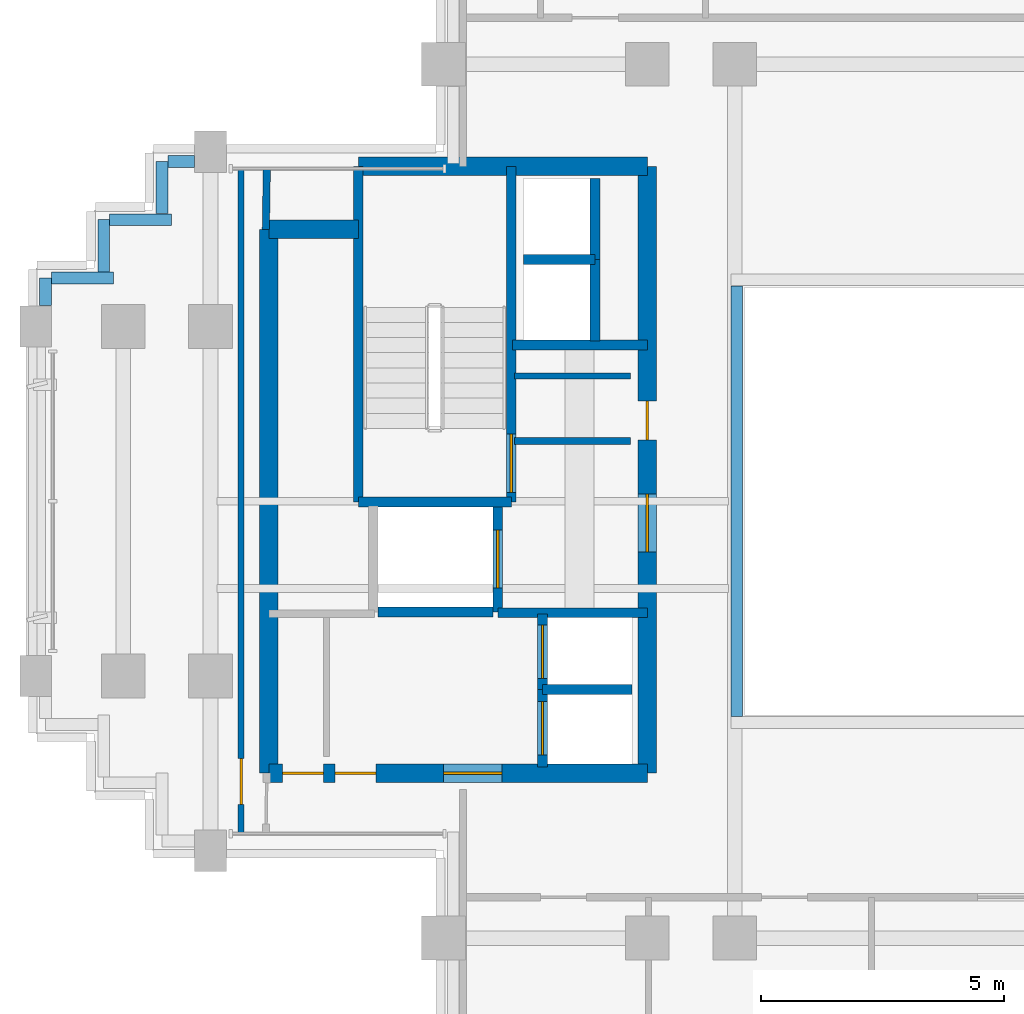
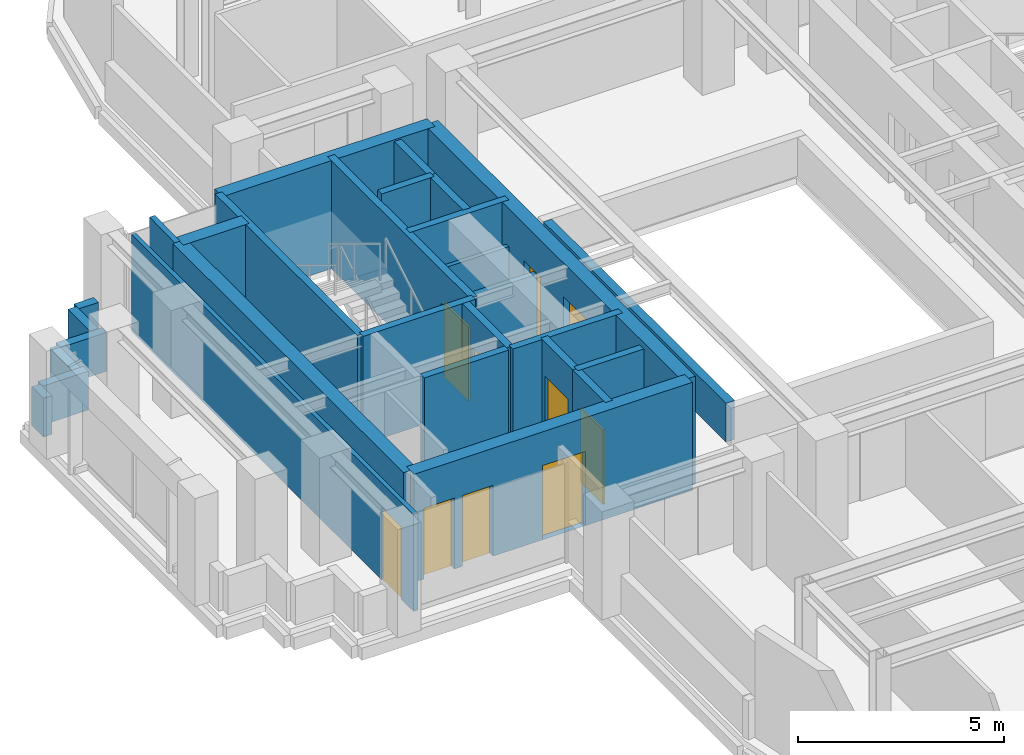
# One storey, part 6 of 11: 29 walls, 10 doors, 10 openings.
"""IFC4 building model written with IfcOpenShell, lengths in metres."""

import ifcopenshell
import ifcopenshell.guid

model = None  # the IFC model being written
_history = None  # IfcOwnerHistory: only IFC2X3 demands one
_inside = {}  # id of a spatial element -> (the spatial element, [elements in it])
_under = {}  # id of a project, library or spatial element -> (it, [spatial elements below it])
_declared = {}  # id of a project -> (the project, [libraries it declares])
_typed = {}  # id of a type object -> (the type object, [elements of that type])
_made_of = {}  # id of a material, layer set ... -> (it, [elements and type objects made of it])


def new_model(schema):
    """Start an empty IFC model of exactly this schema.

    Asked for "IFC4X3", IfcOpenShell would pick the latest addendum, in which some entities
    have other attributes; the version numbers below select the first issue.
    IFC2X3 requires an IfcOwnerHistory on every rooted entity: one is made here for all.
    """
    global model, _history
    if schema == "IFC4X3":
        model = ifcopenshell.file(schema_version=(4, 3, 0, 0))
    else:
        model = ifcopenshell.file(schema=schema)
    _inside.clear()
    _under.clear()
    _declared.clear()
    _typed.clear()
    _made_of.clear()
    _history = None
    if model.schema == "IFC2X3":
        org = make("IfcOrganization", Name="unknown")
        user = make(
            "IfcPersonAndOrganization",
            ThePerson=make("IfcPerson", FamilyName="unknown"),
            TheOrganization=org,
        )
        app = make(
            "IfcApplication",
            ApplicationDeveloper=org,
            Version="unknown",
            ApplicationFullName="unknown",
            ApplicationIdentifier="unknown",
        )
        _history = make(
            "IfcOwnerHistory",
            OwningUser=user,
            OwningApplication=app,
            ChangeAction="ADDED",
            CreationDate=0,
        )
    return model


def make(cls, **values):
    """One entity of the class cls with the attributes given. An attribute that is None is left unset."""
    return model.create_entity(
        cls, **{name: value for name, value in values.items() if value is not None}
    )


def rooted(cls, **values):
    """An entity with a GlobalId (a new one), such as an element, a storey or a relation."""
    return make(cls, GlobalId=ifcopenshell.guid.new(), OwnerHistory=_history, **values)


def si_unit(unit_type, name, prefix=None):
    """IfcSIUnit, for example si_unit("LENGTHUNIT", "METRE", prefix="MILLI")."""
    return make("IfcSIUnit", UnitType=unit_type, Prefix=prefix, Name=name)


def assignment(units):
    """IfcUnitAssignment: the units of a project."""
    return None if units is None else make("IfcUnitAssignment", Units=units)


def point(xyz):
    """IfcCartesianPoint."""
    return None if xyz is None else make("IfcCartesianPoint", Coordinates=xyz)


def direction(xyz):
    """IfcDirection."""
    return None if xyz is None else make("IfcDirection", DirectionRatios=xyz)


def frame(location, z_axis=None, x_axis=None):
    """IfcAxis2Placement3D, a coordinate frame: its origin and axes. An axis left out is left unset."""
    return make(
        "IfcAxis2Placement3D",
        Location=point(location),
        Axis=direction(z_axis),
        RefDirection=direction(x_axis),
    )


def frame_2d(location, x_axis=None):
    """IfcAxis2Placement2D, a coordinate frame in the plane: its origin and x axis."""
    return make(
        "IfcAxis2Placement2D", Location=point(location), RefDirection=direction(x_axis)
    )


def origin():
    """The frame at (0, 0, 0) with its axes left unset."""
    return frame((0.0, 0.0, 0.0))


def place(relative_to, where):
    """IfcLocalPlacement: puts the frame where relative to a parent placement (None: the world)."""
    return make(
        "IfcLocalPlacement", PlacementRelTo=relative_to, RelativePlacement=where
    )


def context(
    kind, dimensions, precision=None, world=None, true_north=None, identifier=None
):
    """IfcGeometricRepresentationContext, for example the 3D "Model" context."""
    return make(
        "IfcGeometricRepresentationContext",
        ContextIdentifier=identifier,
        ContextType=kind,
        CoordinateSpaceDimension=dimensions,
        Precision=precision,
        WorldCoordinateSystem=world,
        TrueNorth=true_north,
    )


def subcontext(parent, identifier, kind, view, scale=None):
    """IfcGeometricRepresentationSubContext, for example "Body" below "Model"."""
    return make(
        "IfcGeometricRepresentationSubContext",
        ContextIdentifier=identifier,
        ContextType=kind,
        ParentContext=parent,
        TargetScale=scale,
        TargetView=view,
    )


def project(units=None, contexts=None):
    """IfcProject with its units and contexts."""
    return rooted(
        "IfcProject",
        Name="project",
        RepresentationContexts=contexts,
        UnitsInContext=assignment(units),
    )


def spatial(cls, under=None, at=None, **own):
    """A site, building, storey or space (cls), placed at a placement, below another one or the project."""
    s = rooted(cls, ObjectPlacement=at, **own)
    if under is not None:
        _under.setdefault(under.id(), (under, []))[1].append(s)
    return s


def profile(cls, at=None, kind="AREA", **sizes):
    """A parametric profile (cls). Its sizes go by their IFC names, for example OverallWidth=200.0."""
    return make(cls, ProfileType=kind, Position=at, **sizes)


def rectangle(**sizes):
    """IfcRectangleProfileDef."""
    return profile("IfcRectangleProfileDef", **sizes)


def extrude(swept, where, along, depth):
    """IfcExtrudedAreaSolid: the profile swept, set in the frame where, extruded along a direction by depth."""
    return make(
        "IfcExtrudedAreaSolid",
        SweptArea=swept,
        Position=where,
        ExtrudedDirection=direction(along),
        Depth=depth,
    )


def shape(context_of_items, identifier, shape_type, items):
    """IfcShapeRepresentation: the items that make up one representation, for example the "Body"."""
    return make(
        "IfcShapeRepresentation",
        ContextOfItems=context_of_items,
        RepresentationIdentifier=identifier,
        RepresentationType=shape_type,
        Items=items,
    )


def source(mapping_origin, context_of_items, identifier, shape_type, items):
    """IfcRepresentationMap: a shape defined once, which mapped items show again and again."""
    return make(
        "IfcRepresentationMap",
        MappingOrigin=mapping_origin,
        MappedRepresentation=shape(context_of_items, identifier, shape_type, items),
    )


def transform(
    local_origin,
    x_axis=None,
    y_axis=None,
    z_axis=None,
    scale=None,
    scale2=None,
    scale3=None,
    uniform=True,
):
    """IfcCartesianTransformationOperator3D, or its non-uniform kind. x_axis, y_axis, z_axis: its Axis1, 2, 3."""
    if uniform:
        return make(
            "IfcCartesianTransformationOperator3D",
            Axis1=direction(x_axis),
            Axis2=direction(y_axis),
            LocalOrigin=point(local_origin),
            Scale=scale,
            Axis3=direction(z_axis),
        )
    return make(
        "IfcCartesianTransformationOperator3DnonUniform",
        Axis1=direction(x_axis),
        Axis2=direction(y_axis),
        LocalOrigin=point(local_origin),
        Scale=scale,
        Axis3=direction(z_axis),
        Scale2=scale2,
        Scale3=scale3,
    )


def mapped(mapping_source, mapping_target):
    """IfcMappedItem: shows the shape of a source again, moved by a transform."""
    return make(
        "IfcMappedItem", MappingSource=mapping_source, MappingTarget=mapping_target
    )


def material(Name=None, Category=None):
    """IfcMaterial."""
    return make("IfcMaterial", Name=Name, Category=Category)


def layer(
    of_material, thickness, ventilated=None, Name=None, Category=None, Priority=None
):
    """IfcMaterialLayer: one layer of a wall or slab, of a material (None: an air gap)."""
    return make(
        "IfcMaterialLayer",
        Material=of_material,
        LayerThickness=thickness,
        IsVentilated=ventilated,
        Name=Name,
        Category=Category,
        Priority=Priority,
    )


def layer_set(layers, Name=None):
    """IfcMaterialLayerSet."""
    return make("IfcMaterialLayerSet", MaterialLayers=layers, LayerSetName=Name)


def made_of(thing, what):
    """Note that an element or type object is made of a material, layer set ...; save() writes the relation."""
    if what is not None:
        _made_of.setdefault(what.id(), (what, []))[1].append(thing)
    return thing


def type_object(cls, material=None, **own):
    """A type object (cls), such as IfcWallType, which elements share."""
    return made_of(rooted(cls, **own), material)


def element(
    cls,
    number,
    at=None,
    inside=None,
    cuts=None,
    type_object=None,
    material=None,
    context=None,
    identifier="Body",
    shape_type=None,
    held_by="IfcProductDefinitionShape",
    body=None,
    shapes=None,
    **own,
):
    """One element of the class cls, such as IfcWall. Its Tag is "e" and its number.

    at: its placement. inside: the storey or other place that contains it. cuts: it is an
    opening in that element (IfcRelVoidsElement). A single representation is given by context,
    identifier, shape_type and body (its items); several are given by shapes. held_by: the class
    of the entity that holds the representations. save() writes the other relations.
    """
    e = rooted(cls, Tag="e%d" % number, ObjectPlacement=at, **own)
    if body is not None:
        shapes = [shape(context, identifier, shape_type, body)]
    if shapes is not None:
        e.Representation = make(held_by, Representations=shapes)
    if inside is not None:
        _inside.setdefault(inside.id(), (inside, []))[1].append(e)
    if cuts is not None:
        rooted(
            "IfcRelVoidsElement", RelatingBuildingElement=cuts, RelatedOpeningElement=e
        )
    if type_object is not None:
        _typed.setdefault(type_object.id(), (type_object, []))[1].append(e)
    return made_of(e, material)


def fill(opening, filler):
    """IfcRelFillsElement: the door or window that sits in an opening."""
    return rooted(
        "IfcRelFillsElement",
        RelatingOpeningElement=opening,
        RelatedBuildingElement=filler,
    )


def aggregate(whole, parts):
    """IfcRelAggregates: a whole, such as a stair, and the parts it consists of."""
    return rooted("IfcRelAggregates", RelatingObject=whole, RelatedObjects=parts)


def save(model, path):
    """Write the relations noted so far, then the file.

    IfcRelAggregates (storeys below a building ...), IfcRelContainedInSpatialStructure (elements
    in a storey), IfcRelDefinesByType, IfcRelAssociatesMaterial and IfcRelDeclares: one each for
    every whole, place, type object, material and project.
    """
    for whole, parts in _under.values():
        aggregate(whole, parts)
    for where, things in _inside.values():
        rooted(
            "IfcRelContainedInSpatialStructure",
            RelatedElements=things,
            RelatingStructure=where,
        )
    for kind, things in _typed.values():
        rooted("IfcRelDefinesByType", RelatedObjects=things, RelatingType=kind)
    for what, things in _made_of.values():
        rooted("IfcRelAssociatesMaterial", RelatedObjects=things, RelatingMaterial=what)
    for by, libraries in _declared.values():
        rooted("IfcRelDeclares", RelatingContext=by, RelatedDefinitions=libraries)
    model.write(path)


model = new_model("IFC4")

# Units and contexts
model_context = context("Model", 3, precision=1e-05, world=origin(), true_north=direction((0.0, 1.0)))
body_context = subcontext(model_context, "Body", "Model", "MODEL_VIEW")
ifc_project = project(units=[si_unit("LENGTHUNIT", "METRE"), si_unit("AREAUNIT", "SQUARE_METRE"), si_unit("VOLUMEUNIT", "CUBIC_METRE"), si_unit("PLANEANGLEUNIT", "RADIAN"), si_unit("MASSUNIT", "GRAM", prefix="KILO")], contexts=[model_context])

# Site, building, storey
site_placement = place(None, origin())
site = spatial("IfcSite", under=ifc_project, at=site_placement, CompositionType="ELEMENT")
building_placement = place(site_placement, origin())
building = spatial("IfcBuilding", under=site, at=building_placement, Name="Keilestroom Media Tower", CompositionType="ELEMENT")
storey_placement = place(building_placement, frame((0.0, 0.0, 163.800048828125)))
storey = spatial("IfcBuildingStorey", under=building, at=storey_placement, Name="L44", CompositionType="ELEMENT", Elevation=163.800048828125)

# Wall
ifc_material_1 = material(Name="Gypsum Plasterboard & Steel Stud", Category="steel")
ifc_layer_1 = layer(ifc_material_1, 0.1201171875)
ifc_layer_set_1 = layer_set([ifc_layer_1], Name="Gypsum Plasterboard & Steel Stud")
wall_type_1 = type_object("IfcWallType", Name="Interior-Partition-Wall-120", PredefinedType="PARTITIONING", material=ifc_layer_set_1)
wall_1_placement = place(storey_placement, frame((-8.139892578125, 2.580078125, 0.0), z_axis=(0.0, 0.0, 1.0), x_axis=(1.0, 0.0, 0.0)))
element("IfcWall", 1, at=wall_1_placement, inside=storey, type_object=wall_type_1, Name="L44 Interior Wall WP-L44-CNW-N", PredefinedType="PARTITIONING", context=body_context, shape_type="SweptSolid", body=[
    extrude(rectangle(XDim=2.389892578125, YDim=0.1201171875, at=frame_2d((1.19482421875, 0.0))), origin(), (0.0, 0.0, 1.0), 2.300048828125),
])

# Wall, opening, door
wall_2_placement = place(storey_placement, frame((-13.77001953125, -6.85009765625, 0.0), z_axis=(0.0, 0.0, 1.0), x_axis=(0.0, 1.0, 0.0)))
wall_2 = element("IfcWall", 2, at=wall_2_placement, inside=storey, type_object=wall_type_1, Name="L44 Interior Wall WP-L44-WA-CE", PredefinedType="PARTITIONING", context=body_context, shape_type="SweptSolid", body=[
    extrude(rectangle(XDim=13.7001953125, YDim=0.1201171875, at=frame_2d((6.85009765625, 0.0))), origin(), (0.0, 0.0, 1.0), 2.869873046875),
])
opening_1_placement = place(wall_2_placement, frame((0.60009765625, 0.0, 0.0)))
opening_1 = element("IfcOpeningElement", 3, at=opening_1_placement, cuts=wall_2, Name="Opening DI-03", PredefinedType="OPENING", context=body_context, shape_type="SweptSolid", body=[
    extrude(rectangle(XDim=0.949951171875, YDim=2.14990234375, at=frame_2d((0.47509765625, 1.074951171875))), frame((0.0, 0.070068359375, 0.0), z_axis=(0.0, -1.0, 0.0), x_axis=(1.0, 0.0, 0.0)), (0.0, 0.0, 1.0), 0.14013671875),
])
ifc_material_2 = material(Name="Lacquered European Oak Leaf", Category="wood")
door_type_1 = type_object("IfcDoorType", Name="Interior-Room-And-Suite-Door-DI-03", OperationType="NOTDEFINED", PredefinedType="DOOR", material=ifc_material_2)
shared_shape_1 = source(origin(), body_context, "Body", "SweptSolid", [
    extrude(rectangle(XDim=0.949951171875, YDim=2.14990234375, at=frame_2d((0.47509765625, 1.074951171875))), frame((0.0, 0.02490234375, 0.0), z_axis=(0.0, -1.0, 0.0), x_axis=(1.0, 0.0, 0.0)), (0.0, 0.0, 1.0), 0.050048828125),
])
door_1_placement = place(opening_1_placement, origin())
door_1 = element("IfcDoor", 4, at=door_1_placement, inside=storey, type_object=door_type_1, Name="L44 Interior Door DI-L44-DWA-END", OperationType="SINGLE_SWING_RIGHT", OverallHeight=2.14990234375, OverallWidth=0.949951171875, PredefinedType="DOOR", context=body_context, shape_type="MappedRepresentation", body=[
    mapped(shared_shape_1, transform((0.0, 0.0, 0.0), x_axis=(1.0, 0.0, 0.0), y_axis=(0.0, 1.0, 0.0), z_axis=(0.0, 0.0, 1.0), scale=1.0)),
])
fill(opening_1, door_1)

# Walls
ifc_layer_2 = layer(ifc_material_1, 0.14990234375)
ifc_layer_set_2 = layer_set([ifc_layer_2], Name="Gypsum Plasterboard & Steel Stud")
wall_type_2 = type_object("IfcWallType", Name="Interior-Partition-Wall-150", PredefinedType="PARTITIONING", material=ifc_layer_set_2)
wall_3_placement = place(storey_placement, frame((-8.139892578125, 1.239990234375, 0.0), z_axis=(0.0, 0.0, 1.0), x_axis=(1.0, 0.0, 0.0)))
element("IfcWall", 5, at=wall_3_placement, inside=storey, type_object=wall_type_2, Name="L44 Interior Wall WP-L44-FFW-TOP", PredefinedType="PARTITIONING", context=body_context, shape_type="SweptSolid", body=[
    extrude(rectangle(XDim=2.389892578125, YDim=0.14990234375, at=frame_2d((1.19482421875, 0.0))), origin(), (0.0, 0.0, 1.0), 2.300048828125),
])
wall_4_placement = place(storey_placement, frame((-13.260009765625, 5.60009765625, 0.0), z_axis=(0.0, 0.0, 1.0), x_axis=(0.016013571389, 0.999871774545, 0.0)))
element("IfcWall", 6, at=wall_4_placement, inside=storey, type_object=wall_type_2, Name="L44 Interior Wall WP-L44-WA-ENTN", PredefinedType="PARTITIONING", context=body_context, shape_type="SweptSolid", body=[
    extrude(rectangle(XDim=1.250244140625, YDim=0.14990234375, at=frame_2d((0.625, 0.0))), origin(), (0.0, 0.0, 1.0), 3.199951171875),
])
ifc_material_3 = material(Name="Concrete C55/67", Category="concrete")
ifc_layer_3 = layer(ifc_material_3, 0.3798828125)
ifc_layer_set_3 = layer_set([ifc_layer_3], Name="Concrete C55/67")
wall_type_3 = type_object("IfcWallType", Name="Reinforced-Concrete-Core-Shear-Wall-380", PredefinedType="SHEAR", material=ifc_layer_set_3)
wall_5_placement = place(storey_placement, frame((-13.199951171875, -5.60009765625, 0.0), z_axis=(0.0, 0.0, 1.0), x_axis=(0.0, 1.0, 0.0)))
element("IfcWall", 7, at=wall_5_placement, inside=storey, type_object=wall_type_3, Name="L44 Core Shear Wall WL-L44-CORE-W-OUT", PredefinedType="SHEAR", context=body_context, shape_type="SweptSolid", body=[
    extrude(rectangle(XDim=11.2001953125, YDim=0.3798828125, at=frame_2d((5.60009765625, 0.0))), origin(), (0.0, 0.0, 1.0), 3.199951171875),
])

# Wall, openings, doors
wall_6_placement = place(storey_placement, frame((-5.39990234375, -5.60009765625, 0.0), z_axis=(0.0, 0.0, 1.0), x_axis=(0.0, 1.0, 0.0)))
wall_6 = element("IfcWall", 8, at=wall_6_placement, inside=storey, type_object=wall_type_3, Name="L44 Core Shear Wall WL-L44-CORE-W-IN", PredefinedType="SHEAR", context=body_context, shape_type="SweptSolid", body=[
    extrude(rectangle(XDim=12.5, YDim=0.3798828125, at=frame_2d((6.25, 0.0))), origin(), (0.0, 0.0, 1.0), 3.199951171875),
])
opening_2_placement = place(wall_6_placement, frame((4.550048828125, 0.0, 0.0)))
opening_2 = element("IfcOpeningElement", 9, at=opening_2_placement, cuts=wall_6, Name="Opening DI-02", PredefinedType="OPENING", context=body_context, shape_type="SweptSolid", body=[
    extrude(rectangle(XDim=1.199951171875, YDim=2.199951171875, at=frame_2d((0.60009765625, 1.10009765625))), frame((0.0, 0.199951171875, 0.0), z_axis=(0.0, -1.0, 0.0), x_axis=(1.0, 0.0, 0.0)), (0.0, 0.0, 1.0), 0.39990234375),
])
opening_3_placement = place(wall_6_placement, frame((6.860107421875, 0.0, 0.0)))
opening_3 = element("IfcOpeningElement", 10, at=opening_3_placement, cuts=wall_6, Name="Opening DI-06", PredefinedType="OPENING", context=body_context, shape_type="SweptSolid", body=[
    extrude(rectangle(XDim=0.800048828125, YDim=2.10009765625, at=frame_2d((0.39990234375, 1.050048828125))), frame((0.0, 0.199951171875, 0.0), z_axis=(0.0, -1.0, 0.0), x_axis=(1.0, 0.0, 0.0)), (0.0, 0.0, 1.0), 0.39990234375),
])
ifc_material_4 = material(Name="Powder-Coated Steel Fire Leaf", Category="steel")
door_type_2 = type_object("IfcDoorType", Name="Interior-Compartment-Fire-Door-DI-02", OperationType="NOTDEFINED", PredefinedType="DOOR", material=ifc_material_4)
shared_shape_2 = source(origin(), body_context, "Body", "SweptSolid", [
    extrude(rectangle(XDim=1.199951171875, YDim=2.199951171875, at=frame_2d((0.60009765625, 1.10009765625))), frame((0.0, 0.02490234375, 0.0), z_axis=(0.0, -1.0, 0.0), x_axis=(1.0, 0.0, 0.0)), (0.0, 0.0, 1.0), 0.050048828125),
])
door_2_placement = place(opening_2_placement, origin())
door_2 = element("IfcDoor", 11, at=door_2_placement, inside=storey, type_object=door_type_2, Name="L44 W Firefighting Lobby Door", OperationType="SINGLE_SWING_RIGHT", OverallHeight=2.199951171875, OverallWidth=1.199951171875, PredefinedType="DOOR", context=body_context, shape_type="MappedRepresentation", body=[
    mapped(shared_shape_2, transform((0.0, 0.0, 0.0), x_axis=(1.0, 0.0, 0.0), y_axis=(0.0, 1.0, 0.0), z_axis=(0.0, 0.0, 1.0), scale=1.0)),
])
fill(opening_2, door_2)
ifc_material_5 = material(Name="Powder-Coated Steel Service Leaf", Category="steel")
door_type_3 = type_object("IfcDoorType", Name="Interior-Riser-Access-Door-DI-06", OperationType="NOTDEFINED", PredefinedType="DOOR", material=ifc_material_5)
shared_shape_3 = source(origin(), body_context, "Body", "SweptSolid", [
    extrude(rectangle(XDim=0.800048828125, YDim=2.10009765625, at=frame_2d((0.39990234375, 1.050048828125))), frame((0.0, 0.02490234375, 0.0), z_axis=(0.0, -1.0, 0.0), x_axis=(1.0, 0.0, 0.0)), (0.0, 0.0, 1.0), 0.050048828125),
])
door_3_placement = place(opening_3_placement, origin())
door_3 = element("IfcDoor", 12, at=door_3_placement, inside=storey, type_object=door_type_3, Name="L44 West Core Switchroom Door", OperationType="SINGLE_SWING_LEFT", OverallHeight=2.10009765625, OverallWidth=0.800048828125, PredefinedType="DOOR", context=body_context, shape_type="MappedRepresentation", body=[
    mapped(shared_shape_3, transform((0.0, 0.0, 0.0), x_axis=(1.0, 0.0, 0.0), y_axis=(0.0, 1.0, 0.0), z_axis=(0.0, 0.0, 1.0), scale=1.0)),
])
fill(opening_3, door_3)

# Walls
wall_7_placement = place(storey_placement, frame((-11.35595703125, 6.89990234375, 0.0), z_axis=(0.0, 0.0, 1.0), x_axis=(1.0, 0.0, 0.0)))
element("IfcWall", 13, at=wall_7_placement, inside=storey, type_object=wall_type_3, Name="L44 Core Shear Wall WL-L44-CORE-W-N", PredefinedType="SHEAR", context=body_context, shape_type="SweptSolid", body=[
    extrude(rectangle(XDim=5.9560546875, YDim=0.3798828125, at=frame_2d((2.97802734375, 0.0))), origin(), (0.0, 0.0, 1.0), 3.199951171875),
])
wall_8_placement = place(storey_placement, frame((-13.199951171875, 5.60009765625, 0.0), z_axis=(0.0, 0.0, 1.0), x_axis=(1.0, 0.0, 0.0)))
element("IfcWall", 14, at=wall_8_placement, inside=storey, type_object=wall_type_3, Name="L44 Core Shear Wall WL-L44-CNW-N", PredefinedType="SHEAR", context=body_context, shape_type="SweptSolid", body=[
    extrude(rectangle(XDim=1.843994140625, YDim=0.3798828125, at=frame_2d((0.921875, 0.0))), origin(), (0.0, 0.0, 1.0), 3.199951171875),
])

# Wall, openings, doors
wall_9_placement = place(storey_placement, frame((-13.199951171875, -5.60009765625, 0.0), z_axis=(0.0, 0.0, 1.0), x_axis=(1.0, 0.0, 0.0)))
wall_9 = element("IfcWall", 15, at=wall_9_placement, inside=storey, type_object=wall_type_3, Name="L44 Core Shear Wall WL-L44-CORE-W-S", PredefinedType="SHEAR", context=body_context, shape_type="SweptSolid", body=[
    extrude(rectangle(XDim=7.800048828125, YDim=0.3798828125, at=frame_2d((3.89990234375, 0.0))), origin(), (0.0, 0.0, 1.0), 3.199951171875),
])
opening_4_placement = place(wall_9_placement, frame((3.60009765625, 0.0, 0.0)))
opening_4 = element("IfcOpeningElement", 16, at=opening_4_placement, cuts=wall_9, Name="Opening DI-02", PredefinedType="OPENING", context=body_context, shape_type="SweptSolid", body=[
    extrude(rectangle(XDim=1.199951171875, YDim=2.199951171875, at=frame_2d((0.60009765625, 1.10009765625))), frame((0.0, 0.199951171875, 0.0), z_axis=(0.0, -1.0, 0.0), x_axis=(1.0, 0.0, 0.0)), (0.0, 0.0, 1.0), 0.39990234375),
])
opening_5_placement = place(wall_9_placement, frame((0.280029296875, 0.0, 0.0)))
opening_5 = element("IfcOpeningElement", 17, at=opening_5_placement, cuts=wall_9, Name="Opening DI-05", PredefinedType="OPENING", context=body_context, shape_type="SweptSolid", body=[
    extrude(rectangle(XDim=0.85009765625, YDim=2.10009765625, at=frame_2d((0.425048828125, 1.050048828125))), frame((0.0, 0.199951171875, 0.0), z_axis=(0.0, -1.0, 0.0), x_axis=(1.0, 0.0, 0.0)), (0.0, 0.0, 1.0), 0.39990234375),
])
opening_6_placement = place(wall_9_placement, frame((1.360107421875, 0.0, 0.0)))
opening_6 = element("IfcOpeningElement", 18, at=opening_6_placement, cuts=wall_9, Name="Opening DI-05", PredefinedType="OPENING", context=body_context, shape_type="SweptSolid", body=[
    extrude(rectangle(XDim=0.85009765625, YDim=2.10009765625, at=frame_2d((0.425048828125, 1.050048828125))), frame((0.0, 0.199951171875, 0.0), z_axis=(0.0, -1.0, 0.0), x_axis=(1.0, 0.0, 0.0)), (0.0, 0.0, 1.0), 0.39990234375),
])
door_4_placement = place(opening_4_placement, origin())
door_4 = element("IfcDoor", 19, at=door_4_placement, inside=storey, type_object=door_type_2, Name="L44 W Passenger Lift Lobby Door", OperationType="SINGLE_SWING_LEFT", OverallHeight=2.199951171875, OverallWidth=1.199951171875, PredefinedType="DOOR", context=body_context, shape_type="MappedRepresentation", body=[
    mapped(shared_shape_2, transform((0.0, 0.0, 0.0), x_axis=(1.0, 0.0, 0.0), y_axis=(0.0, 1.0, 0.0), z_axis=(0.0, 0.0, 1.0), scale=1.0)),
])
fill(opening_4, door_4)
ifc_material_6 = material(Name="Moisture-Resistant Oak Leaf", Category="wood")
door_type_4 = type_object("IfcDoorType", Name="Interior-En-Suite-And-Cupboard-Door-DI-05", OperationType="NOTDEFINED", PredefinedType="DOOR", material=ifc_material_6)
shared_shape_4 = source(origin(), body_context, "Body", "SweptSolid", [
    extrude(rectangle(XDim=0.85009765625, YDim=2.10009765625, at=frame_2d((0.425048828125, 1.050048828125))), frame((0.0, 0.02490234375, 0.0), z_axis=(0.0, -1.0, 0.0), x_axis=(1.0, 0.0, 0.0)), (0.0, 0.0, 1.0), 0.050048828125),
])
door_5_placement = place(opening_5_placement, origin())
door_5 = element("IfcDoor", 20, at=door_5_placement, inside=storey, type_object=door_type_4, Name="L44 Reclaimed West Closet 1 Door", OperationType="SINGLE_SWING_LEFT", OverallHeight=2.10009765625, OverallWidth=0.85009765625, PredefinedType="DOOR", context=body_context, shape_type="MappedRepresentation", body=[
    mapped(shared_shape_4, transform((0.0, 0.0, 0.0), x_axis=(1.0, 0.0, 0.0), y_axis=(0.0, 1.0, 0.0), z_axis=(0.0, 0.0, 1.0), scale=1.0)),
])
fill(opening_5, door_5)
door_6_placement = place(opening_6_placement, origin())
door_6 = element("IfcDoor", 21, at=door_6_placement, inside=storey, type_object=door_type_4, Name="L44 Reclaimed West Closet 2 Door", OperationType="SINGLE_SWING_RIGHT", OverallHeight=2.10009765625, OverallWidth=0.85009765625, PredefinedType="DOOR", context=body_context, shape_type="MappedRepresentation", body=[
    mapped(shared_shape_4, transform((0.0, 0.0, 0.0), x_axis=(1.0, 0.0, 0.0), y_axis=(0.0, 1.0, 0.0), z_axis=(0.0, 0.0, 1.0), scale=1.0)),
])
fill(opening_6, door_6)

# Walls
ifc_material_7 = material(Name="Concrete C50/60", Category="concrete")
ifc_layer_4 = layer(ifc_material_7, 0.199951171875)
ifc_layer_set_4 = layer_set([ifc_layer_4], Name="Concrete C50/60")
wall_type_4 = type_object("IfcWallType", Name="Reinforced-Concrete-Shaft-Wall-200", PredefinedType="SOLIDWALL", material=ifc_layer_set_4)
wall_10_placement = place(storey_placement, frame((-8.179931640625, 3.219970703125, 0.0), z_axis=(0.0, 0.0, 1.0), x_axis=(1.0, 0.0, 0.0)))
element("IfcWall", 22, at=wall_10_placement, inside=storey, type_object=wall_type_4, Name="L44 Core Shear Wall WL-L44-CORE-W-FFN", PredefinedType="SOLIDWALL", context=body_context, shape_type="SweptSolid", body=[
    extrude(rectangle(XDim=2.780029296875, YDim=0.199951171875, at=frame_2d((1.39013671875, 0.0))), origin(), (0.0, 0.0, 1.0), 3.199951171875),
])
wall_11_placement = place(storey_placement, frame((-8.47998046875, -2.300048828125, 0.0), z_axis=(0.0, 0.0, 1.0), x_axis=(1.0, 0.0, 0.0)))
element("IfcWall", 23, at=wall_11_placement, inside=storey, type_object=wall_type_4, Name="L44 Core Shear Wall WL-L44-CORE-W-FFS", PredefinedType="SOLIDWALL", context=body_context, shape_type="SweptSolid", body=[
    extrude(rectangle(XDim=3.080078125, YDim=0.199951171875, at=frame_2d((1.5400390625, 0.0))), origin(), (0.0, 0.0, 1.0), 3.199951171875),
])

# Wall, opening, door
wall_12_placement = place(storey_placement, frame((-8.2041015625, -0.01611328125, 0.0), z_axis=(0.0, 0.0, 1.0), x_axis=(0.0, 1.0, 0.0)))
wall_12 = element("IfcWall", 24, at=wall_12_placement, inside=storey, type_object=wall_type_4, Name="L44 Core Shear Wall WL-L44-STW-W-NEAR", PredefinedType="SOLIDWALL", context=body_context, shape_type="SweptSolid", body=[
    extrude(rectangle(XDim=6.916015625, YDim=0.199951171875, at=frame_2d((3.4580078125, 0.0))), origin(), (0.0, 0.0, 1.0), 3.199951171875),
])
opening_7_placement = place(wall_12_placement, frame((0.199951171875, 0.0, 0.0)))
opening_7 = element("IfcOpeningElement", 25, at=opening_7_placement, cuts=wall_12, Name="Opening DI-01S", PredefinedType="OPENING", context=body_context, shape_type="SweptSolid", body=[
    extrude(rectangle(XDim=1.199951171875, YDim=2.199951171875, at=frame_2d((0.60009765625, 1.10009765625))), frame((0.0, 0.10986328125, 0.0), z_axis=(0.0, -1.0, 0.0), x_axis=(1.0, 0.0, 0.0)), (0.0, 0.0, 1.0), 0.219970703125),
])
door_type_5 = type_object("IfcDoorType", Name="Interior-Stair-And-Core-Fire-Door-DI-01", OperationType="NOTDEFINED", PredefinedType="DOOR", material=ifc_material_4)
door_7_placement = place(opening_7_placement, origin())
door_7 = element("IfcDoor", 26, at=door_7_placement, inside=storey, type_object=door_type_5, Name="L44 Escape Stair ST-1 Fire Door", OperationType="SINGLE_SWING_LEFT", OverallHeight=2.199951171875, OverallWidth=1.199951171875, PredefinedType="DOOR", context=body_context, shape_type="MappedRepresentation", body=[
    mapped(shared_shape_2, transform((0.0, 0.0, 0.0), x_axis=(1.0, 0.0, 0.0), y_axis=(0.0, 1.0, 0.0), z_axis=(0.0, 0.0, 1.0), scale=1.0)),
])
fill(opening_7, door_7)

# Walls
wall_13_placement = place(storey_placement, frame((-11.35595703125, -0.01611328125, 0.0), z_axis=(0.0, 0.0, 1.0), x_axis=(0.0, 1.0, 0.0)))
element("IfcWall", 27, at=wall_13_placement, inside=storey, type_object=wall_type_4, Name="L44 Core Shear Wall WL-L44-STW-W-FAR", PredefinedType="SOLIDWALL", context=body_context, shape_type="SweptSolid", body=[
    extrude(rectangle(XDim=6.916015625, YDim=0.199951171875, at=frame_2d((3.4580078125, 0.0))), origin(), (0.0, 0.0, 1.0), 3.199951171875),
])
wall_14_placement = place(storey_placement, frame((-11.35595703125, -0.01611328125, 0.0), z_axis=(0.0, 0.0, 1.0), x_axis=(1.0, 0.0, 0.0)))
element("IfcWall", 28, at=wall_14_placement, inside=storey, type_object=wall_type_4, Name="L44 Core Shear Wall WL-L44-STW-W-S", PredefinedType="SOLIDWALL", context=body_context, shape_type="SweptSolid", body=[
    extrude(rectangle(XDim=3.15185546875, YDim=0.199951171875, at=frame_2d((1.575927734375, 0.0))), origin(), (0.0, 0.0, 1.0), 3.199951171875),
])

# Wall, opening, door
wall_15_placement = place(storey_placement, frame((-8.47998046875, -2.280029296875, 0.0), z_axis=(0.0, 0.0, 1.0), x_axis=(0.0, 1.0, 0.0)))
wall_15 = element("IfcWall", 29, at=wall_15_placement, inside=storey, type_object=wall_type_4, Name="L44 Core Shear Wall WL-L44-LSH-FFL-1-E", PredefinedType="SOLIDWALL", context=body_context, shape_type="SweptSolid", body=[
    extrude(rectangle(XDim=2.179931640625, YDim=0.199951171875, at=frame_2d((1.08984375, 0.0))), origin(), (0.0, 0.0, 1.0), 3.199951171875),
])
opening_8_placement = place(wall_15_placement, frame((0.489990234375, 0.0, 0.0)))
opening_8 = element("IfcOpeningElement", 30, at=opening_8_placement, cuts=wall_15, Name="Opening LD-02", PredefinedType="OPENING", context=body_context, shape_type="SweptSolid", body=[
    extrude(rectangle(XDim=1.199951171875, YDim=2.199951171875, at=frame_2d((0.60009765625, 1.10009765625))), frame((0.0, 0.10986328125, 0.0), z_axis=(0.0, -1.0, 0.0), x_axis=(1.0, 0.0, 0.0)), (0.0, 0.0, 1.0), 0.219970703125),
])
ifc_material_8 = material(Name="Brushed Stainless Steel Sliding Leaf", Category="steel")
door_type_6 = type_object("IfcDoorType", Name="Lift-Landing-Sliding-Door-LD-02", OperationType="SLIDING_TO_RIGHT", PredefinedType="DOOR", material=ifc_material_8)
door_8_placement = place(opening_8_placement, origin())
door_8 = element("IfcDoor", 31, at=door_8_placement, inside=storey, type_object=door_type_6, Name="L44 Lift FFL-1 Landing Sliding Door", OperationType="SLIDING_TO_RIGHT", OverallHeight=2.199951171875, OverallWidth=1.199951171875, PredefinedType="DOOR", context=body_context, shape_type="MappedRepresentation", body=[
    mapped(shared_shape_2, transform((0.0, 0.0, 0.0), x_axis=(1.0, 0.0, 0.0), y_axis=(0.0, 1.0, 0.0), z_axis=(0.0, 0.0, 1.0), scale=1.0)),
])
fill(opening_8, door_8)

# Wall
wall_16_placement = place(storey_placement, frame((-10.946044921875, -2.280029296875, 0.0), z_axis=(0.0, 0.0, 1.0), x_axis=(1.0, 0.0, 0.0)))
element("IfcWall", 32, at=wall_16_placement, inside=storey, type_object=wall_type_4, Name="L44 Core Shear Wall WL-L44-LSH-FFL-1-S", PredefinedType="SOLIDWALL", context=body_context, shape_type="SweptSolid", body=[
    extrude(rectangle(XDim=2.362060546875, YDim=0.199951171875, at=frame_2d((1.18115234375, 0.0))), origin(), (0.0, 0.0, 1.0), 3.199951171875),
])

# Wall, opening, door
wall_17_placement = place(storey_placement, frame((-7.56005859375, -5.47998046875, 0.0), z_axis=(0.0, 0.0, 1.0), x_axis=(0.0, 1.0, 0.0)))
wall_17 = element("IfcWall", 33, at=wall_17_placement, inside=storey, type_object=wall_type_4, Name="L44 Core Shear Wall WL-L44-LSH-PL-M1-W", PredefinedType="SOLIDWALL", context=body_context, shape_type="SweptSolid", body=[
    extrude(rectangle(XDim=1.60009765625, YDim=0.199951171875, at=frame_2d((0.800048828125, 0.0))), origin(), (0.0, 0.0, 1.0), 3.199951171875),
])
opening_9_placement = place(wall_17_placement, frame((0.25, 0.0, 0.0)))
opening_9 = element("IfcOpeningElement", 34, at=opening_9_placement, cuts=wall_17, Name="Opening LD-01", PredefinedType="OPENING", context=body_context, shape_type="SweptSolid", body=[
    extrude(rectangle(XDim=1.10009765625, YDim=2.199951171875, at=frame_2d((0.550048828125, 1.10009765625))), frame((0.0, 0.10986328125, 0.0), z_axis=(0.0, -1.0, 0.0), x_axis=(1.0, 0.0, 0.0)), (0.0, 0.0, 1.0), 0.219970703125),
])
door_type_7 = type_object("IfcDoorType", Name="Lift-Landing-Sliding-Door-LD-01", OperationType="SLIDING_TO_LEFT", PredefinedType="DOOR", material=ifc_material_8)
shared_shape_5 = source(origin(), body_context, "Body", "SweptSolid", [
    extrude(rectangle(XDim=1.10009765625, YDim=2.199951171875, at=frame_2d((0.550048828125, 1.10009765625))), frame((0.0, 0.02490234375, 0.0), z_axis=(0.0, -1.0, 0.0), x_axis=(1.0, 0.0, 0.0)), (0.0, 0.0, 1.0), 0.050048828125),
])
door_9_placement = place(opening_9_placement, origin())
door_9 = element("IfcDoor", 35, at=door_9_placement, inside=storey, type_object=door_type_7, Name="L44 Lift PL-M1 Landing Sliding Door", OperationType="SLIDING_TO_LEFT", OverallHeight=2.199951171875, OverallWidth=1.10009765625, PredefinedType="DOOR", context=body_context, shape_type="MappedRepresentation", body=[
    mapped(shared_shape_5, transform((0.0, 0.0, 0.0), x_axis=(1.0, 0.0, 0.0), y_axis=(0.0, 1.0, 0.0), z_axis=(0.0, 0.0, 1.0), scale=1.0)),
])
fill(opening_9, door_9)

# Wall
wall_18_placement = place(storey_placement, frame((-7.56005859375, -3.8798828125, 0.0), z_axis=(0.0, 0.0, 1.0), x_axis=(1.0, 0.0, 0.0)))
element("IfcWall", 36, at=wall_18_placement, inside=storey, type_object=wall_type_4, Name="L44 Core Shear Wall WL-L44-LSH-PL-M1-N", PredefinedType="SOLIDWALL", context=body_context, shape_type="SweptSolid", body=[
    extrude(rectangle(XDim=1.840087890625, YDim=0.199951171875, at=frame_2d((0.919921875, 0.0))), origin(), (0.0, 0.0, 1.0), 3.199951171875),
])

# Wall, opening, door
wall_19_placement = place(storey_placement, frame((-7.56005859375, -3.8798828125, 0.0), z_axis=(0.0, 0.0, 1.0), x_axis=(0.0, 1.0, 0.0)))
wall_19 = element("IfcWall", 37, at=wall_19_placement, inside=storey, type_object=wall_type_4, Name="L44 Core Shear Wall WL-L44-LSH-PL-M2-W", PredefinedType="SOLIDWALL", context=body_context, shape_type="SweptSolid", body=[
    extrude(rectangle(XDim=1.559814453125, YDim=0.199951171875, at=frame_2d((0.77978515625, 0.0))), origin(), (0.0, 0.0, 1.0), 3.199951171875),
])
opening_10_placement = place(wall_19_placement, frame((0.22998046875, 0.0, 0.0)))
opening_10 = element("IfcOpeningElement", 38, at=opening_10_placement, cuts=wall_19, Name="Opening LD-01", PredefinedType="OPENING", context=body_context, shape_type="SweptSolid", body=[
    extrude(rectangle(XDim=1.10009765625, YDim=2.199951171875, at=frame_2d((0.550048828125, 1.10009765625))), frame((0.0, 0.10986328125, 0.0), z_axis=(0.0, -1.0, 0.0), x_axis=(1.0, 0.0, 0.0)), (0.0, 0.0, 1.0), 0.219970703125),
])
door_10_placement = place(opening_10_placement, origin())
door_10 = element("IfcDoor", 39, at=door_10_placement, inside=storey, type_object=door_type_7, Name="L44 Lift PL-M2 Landing Sliding Door", OperationType="SLIDING_TO_LEFT", OverallHeight=2.199951171875, OverallWidth=1.10009765625, PredefinedType="DOOR", context=body_context, shape_type="MappedRepresentation", body=[
    mapped(shared_shape_5, transform((0.0, 0.0, 0.0), x_axis=(1.0, 0.0, 0.0), y_axis=(0.0, 1.0, 0.0), z_axis=(0.0, 0.0, 1.0), scale=1.0)),
])
fill(opening_10, door_10)

# Walls
wall_20_placement = place(storey_placement, frame((-6.47998046875, 3.300048828125, 0.0), z_axis=(0.0, 0.0, 1.0), x_axis=(0.0, 1.0, 0.0)))
element("IfcWall", 40, at=wall_20_placement, inside=storey, type_object=wall_type_4, Name="L44 Core Shear Wall WL-L44-LSH-PL-H1-E", PredefinedType="SOLIDWALL", context=body_context, shape_type="SweptSolid", body=[
    extrude(rectangle(XDim=1.679931640625, YDim=0.199951171875, at=frame_2d((0.83984375, 0.0))), origin(), (0.0, 0.0, 1.0), 3.199951171875),
])
wall_21_placement = place(storey_placement, frame((-7.949951171875, 4.97998046875, 0.0), z_axis=(0.0, 0.0, 1.0), x_axis=(1.0, 0.0, 0.0)))
element("IfcWall", 41, at=wall_21_placement, inside=storey, type_object=wall_type_4, Name="L44 Core Shear Wall WL-L44-LSH-PL-H1-N", PredefinedType="SOLIDWALL", context=body_context, shape_type="SweptSolid", body=[
    extrude(rectangle(XDim=1.469970703125, YDim=0.199951171875, at=frame_2d((0.73486328125, 0.0))), origin(), (0.0, 0.0, 1.0), 3.199951171875),
])
wall_22_placement = place(storey_placement, frame((-6.47998046875, 4.97998046875, 0.0), z_axis=(0.0, 0.0, 1.0), x_axis=(0.0, 1.0, 0.0)))
element("IfcWall", 42, at=wall_22_placement, inside=storey, type_object=wall_type_4, Name="L44 Core Shear Wall WL-L44-LSH-PL-H2-E", PredefinedType="SOLIDWALL", context=body_context, shape_type="SweptSolid", body=[
    extrude(rectangle(XDim=1.669921875, YDim=0.199951171875, at=frame_2d((0.8349609375, 0.0))), origin(), (0.0, 0.0, 1.0), 3.199951171875),
])
ifc_material_9 = material(Name="Precast concrete C40/50", Category="concrete")
ifc_layer_5 = layer(ifc_material_9, 0.239990234375)
ifc_layer_set_5 = layer_set([ifc_layer_5], Name="Precast concrete C40/50")
wall_type_5 = type_object("IfcWallType", Name="Roof-And-Terrace-Parapet-Wall-240", PredefinedType="PARAPET", material=ifc_layer_set_5)
wall_23_placement = place(storey_placement, frame((-17.800048828125, 4.028076171875, 0.0), z_axis=(0.0, 0.0, 1.0), x_axis=(0.0, 1.0, 0.0)))
element("IfcWall", 43, at=wall_23_placement, inside=storey, type_object=wall_type_5, Name="L44 Perimeter Edge Parapet Wall 19", PredefinedType="PARAPET", context=body_context, shape_type="SweptSolid", body=[
    extrude(rectangle(XDim=0.572021484375, YDim=0.239990234375, at=frame_2d((0.2861328125, 0.0))), origin(), (0.0, 0.0, 1.0), 1.14990234375),
])
wall_24_placement = place(storey_placement, frame((-17.677001953125, 4.60009765625, 0.0), z_axis=(0.0, 0.0, 1.0), x_axis=(1.0, 0.0, 0.0)))
element("IfcWall", 44, at=wall_24_placement, inside=storey, type_object=wall_type_5, Name="L44 Perimeter Edge Parapet Wall 20", PredefinedType="PARAPET", context=body_context, shape_type="SweptSolid", body=[
    extrude(rectangle(XDim=1.277099609375, YDim=0.239990234375, at=frame_2d((0.638671875, 0.0))), origin(), (0.0, 0.0, 1.0), 1.14990234375),
])
wall_25_placement = place(storey_placement, frame((-16.60009765625, 4.722900390625, 0.0), z_axis=(0.0, 0.0, 1.0), x_axis=(0.0, 1.0, 0.0)))
element("IfcWall", 45, at=wall_25_placement, inside=storey, type_object=wall_type_5, Name="L44 Perimeter Edge Parapet Wall 21", PredefinedType="PARAPET", context=body_context, shape_type="SweptSolid", body=[
    extrude(rectangle(XDim=1.0771484375, YDim=0.239990234375, at=frame_2d((0.53857421875, 0.0))), origin(), (0.0, 0.0, 1.0), 1.14990234375),
])
wall_26_placement = place(storey_placement, frame((-16.47705078125, 5.800048828125, 0.0), z_axis=(0.0, 0.0, 1.0), x_axis=(1.0, 0.0, 0.0)))
element("IfcWall", 46, at=wall_26_placement, inside=storey, type_object=wall_type_5, Name="L44 Perimeter Edge Parapet Wall 22", PredefinedType="PARAPET", context=body_context, shape_type="SweptSolid", body=[
    extrude(rectangle(XDim=1.277099609375, YDim=0.239990234375, at=frame_2d((0.638671875, 0.0))), origin(), (0.0, 0.0, 1.0), 1.14990234375),
])
wall_27_placement = place(storey_placement, frame((-15.39990234375, 5.923095703125, 0.0), z_axis=(0.0, 0.0, 1.0), x_axis=(0.0, 1.0, 0.0)))
element("IfcWall", 47, at=wall_27_placement, inside=storey, type_object=wall_type_5, Name="L44 Perimeter Edge Parapet Wall 23", PredefinedType="PARAPET", context=body_context, shape_type="SweptSolid", body=[
    extrude(rectangle(XDim=1.076904296875, YDim=0.239990234375, at=frame_2d((0.53857421875, 0.0))), origin(), (0.0, 0.0, 1.0), 1.14990234375),
])
wall_28_placement = place(storey_placement, frame((-15.277099609375, 7.0, 0.0), z_axis=(0.0, 0.0, 1.0), x_axis=(1.0, 0.0, 0.0)))
element("IfcWall", 48, at=wall_28_placement, inside=storey, type_object=wall_type_5, Name="L44 Perimeter Edge Parapet Wall 24", PredefinedType="PARAPET", context=body_context, shape_type="SweptSolid", body=[
    extrude(rectangle(XDim=0.549072265625, YDim=0.239990234375, at=frame_2d((0.2744140625, 0.0))), origin(), (0.0, 0.0, 1.0), 1.14990234375),
])
wall_29_placement = place(storey_placement, frame((-3.56005859375, -4.43505859375, 0.0), z_axis=(0.0, 0.0, 1.0), x_axis=(0.0, 1.0, 0.0)))
element("IfcWall", 49, at=wall_29_placement, inside=storey, type_object=wall_type_5, Name="L44 Central Atrium Guard Parapet W", PredefinedType="PARAPET", context=body_context, shape_type="SweptSolid", body=[
    extrude(rectangle(XDim=8.8701171875, YDim=0.239990234375, at=frame_2d((4.43505859375, 0.0))), origin(), (0.0, 0.0, 1.0), 1.14990234375),
])

save(model, "model.ifc")
